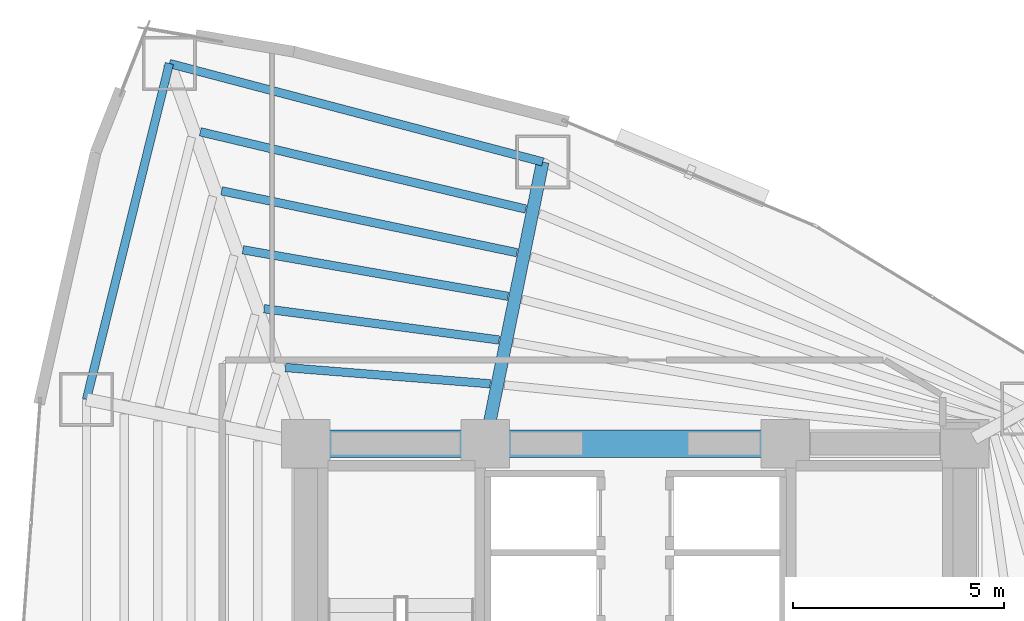
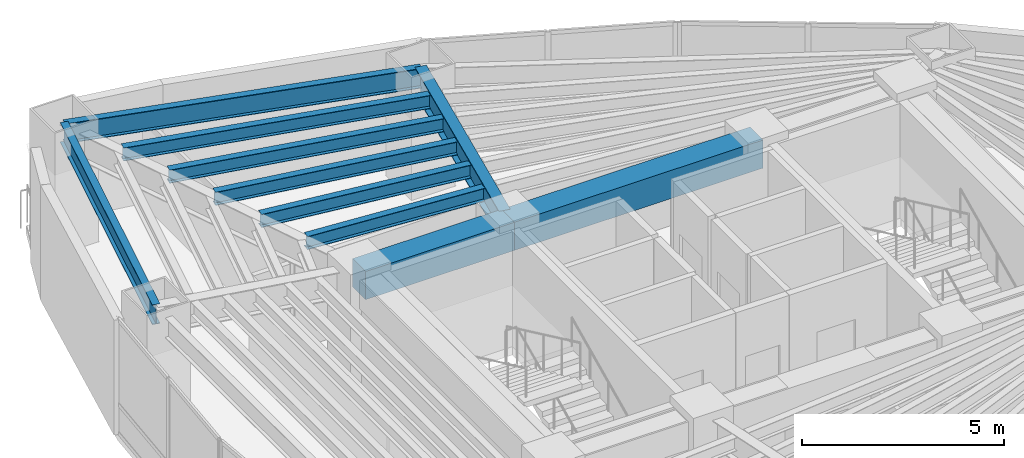
# One storey, part 8 of 18: 10 beams.
"""IFC4 building model written with IfcOpenShell, lengths in metres."""

from ifc_helpers import new_model, si_unit, direction, frame, origin, origin_2d, place, context, subcontext, project, spatial, rectangle, i_section, extrude, material, material_profile, profile_set, type_object, element, save


model = new_model("IFC4")

# Units and contexts
model_context = context("Model", 3, precision=1e-05, world=origin(), true_north=direction((0.0, 1.0)))
body_context = subcontext(model_context, "Body", "Model", "MODEL_VIEW")
ifc_project = project(units=[si_unit("LENGTHUNIT", "METRE"), si_unit("AREAUNIT", "SQUARE_METRE"), si_unit("VOLUMEUNIT", "CUBIC_METRE"), si_unit("PLANEANGLEUNIT", "RADIAN"), si_unit("MASSUNIT", "GRAM", prefix="KILO")], contexts=[model_context])

# Site, building, storey
site_placement = place(None, origin())
site = spatial("IfcSite", under=ifc_project, at=site_placement, CompositionType="ELEMENT")
building_placement = place(site_placement, origin())
building = spatial("IfcBuilding", under=site, at=building_placement, Name="Menara Vayukalpa", CompositionType="ELEMENT")
storey_placement = place(building_placement, frame((0.0, 0.0, 96.5400390625)))
storey = spatial("IfcBuildingStorey", under=building, at=storey_placement, Name="L23", CompositionType="ELEMENT", Elevation=96.5400390625)

# Beams
ifc_material_1 = material(Name="Concrete C60/75", Category="concrete")
ifc_material_profile_1 = material_profile(ifc_material_1, rectangle(XDim=0.64990234375, YDim=0.85009765625, at=origin_2d()), Name="RC 650x850")
ifc_profile_set_1 = profile_set([ifc_material_profile_1], Name="Concrete C60/75")
beam_type_1 = type_object("IfcBeamType", Name="BM-CB1", PredefinedType="BEAM", material=ifc_profile_set_1)
beam_1_placement = place(storey_placement, frame((17.800048828125, 26.800048828125, 3.044921875), z_axis=(1.0, 0.0, 0.0), x_axis=(0.0, 1.0, 0.0)))
element("IfcBeam", 1, at=beam_1_placement, inside=storey, type_object=beam_type_1, Name="L23 Core Tie Beam CBR4", PredefinedType="BEAM", context=body_context, shape_type="SweptSolid", body=[
    extrude(rectangle(XDim=0.64990234375, YDim=0.85009765625, at=origin_2d()), origin(), (0.0, 0.0, 1.0), 4.25),
])
beam_2_placement = place(storey_placement, frame((22.050048828125, 26.800048828125, 3.044921875), z_axis=(1.0, 0.0, 0.0), x_axis=(0.0, 1.0, 0.0)))
element("IfcBeam", 2, at=beam_2_placement, inside=storey, type_object=beam_type_1, Name="L23 Core Tie Beam CBR5", PredefinedType="BEAM", context=body_context, shape_type="SweptSolid", body=[
    extrude(rectangle(XDim=0.64990234375, YDim=0.85009765625, at=origin_2d()), origin(), (0.0, 0.0, 1.0), 7.099853515625),
])
ifc_material_2 = material(Name="Steel S355", Category="steel")
ifc_material_profile_2 = material_profile(ifc_material_2, i_section(OverallWidth=0.300048828125, OverallDepth=0.800048828125, WebThickness=0.013916015625, FlangeThickness=0.02587890625, at=origin_2d()), Name="WF 800x300x14x26")
ifc_profile_set_2 = profile_set([ifc_material_profile_2], Name="Steel S355")
beam_type_2 = type_object("IfcBeamType", Name="BM-PG3", PredefinedType="BEAM", material=ifc_profile_set_2)
beam_3_placement = place(storey_placement, frame((22.099853515625, 27.044921875, 3.070068359375), z_axis=(0.199617728418, 0.9798738503, 0.0), x_axis=(-0.9798738503, 0.199617728418, 0.0)))
element("IfcBeam", 3, at=beam_3_placement, inside=storey, type_object=beam_type_2, Name="L23 Primary Radial Girder RG03", PredefinedType="BEAM", context=body_context, shape_type="SweptSolid", body=[
    extrude(i_section(OverallWidth=0.300048828125, OverallDepth=0.800048828125, WebThickness=0.013916015625, FlangeThickness=0.02587890625, at=origin_2d()), origin(), (0.0, 0.0, 1.0), 6.55419921875),
])
ifc_material_3 = material(Name="Steel S355", Category="steel")
ifc_material_profile_3 = material_profile(ifc_material_3, i_section(OverallWidth=0.199951171875, OverallDepth=0.39990234375, WebThickness=0.008056640625, FlangeThickness=0.012939453125, at=origin_2d()), Name="WF 400x200x8x13")
ifc_profile_set_3 = profile_set([ifc_material_profile_3], Name="Steel S355")
beam_type_3 = type_object("IfcBeamType", Name="BM-SJ2", PredefinedType="JOIST", material=ifc_profile_set_3)
beam_4_placement = place(storey_placement, frame((22.166015625, 28.214599609375, 3.27001953125), z_axis=(-0.996868534468, 0.079076703187, 0.0), x_axis=(-0.079076703187, -0.996868534468, 0.0)))
element("IfcBeam", 4, at=beam_4_placement, inside=storey, type_object=beam_type_3, Name="L23 Secondary Floor Joist SJ03-1", PredefinedType="JOIST", context=body_context, shape_type="SweptSolid", body=[
    extrude(i_section(OverallWidth=0.199951171875, OverallDepth=0.39990234375, WebThickness=0.008056640625, FlangeThickness=0.012939453125, at=origin_2d()), origin(), (0.0, 0.0, 1.0), 4.862548828125),
])
beam_5_placement = place(storey_placement, frame((22.376220703125, 29.251220703125, 3.27001953125), z_axis=(-0.991248408809, 0.132009817941, 0.0), x_axis=(-0.132009817941, -0.991248408809, 0.0)))
element("IfcBeam", 5, at=beam_5_placement, inside=storey, type_object=beam_type_3, Name="L23 Secondary Floor Joist SJ03-2", PredefinedType="JOIST", context=body_context, shape_type="SweptSolid", body=[
    extrude(i_section(OverallWidth=0.199951171875, OverallDepth=0.39990234375, WebThickness=0.008056640625, FlangeThickness=0.012939453125, at=origin_2d()), origin(), (0.0, 0.0, 1.0), 5.611083984375),
])
beam_6_placement = place(storey_placement, frame((22.586669921875, 30.28564453125, 3.27001953125), z_axis=(-0.984953935883, 0.172817083033, 0.0), x_axis=(-0.172817083033, -0.984953935883, 0.0)))
element("IfcBeam", 6, at=beam_6_placement, inside=storey, type_object=beam_type_3, Name="L23 Secondary Floor Joist SJ03-3", PredefinedType="JOIST", context=body_context, shape_type="SweptSolid", body=[
    extrude(i_section(OverallWidth=0.199951171875, OverallDepth=0.39990234375, WebThickness=0.008056640625, FlangeThickness=0.012939453125, at=origin_2d()), origin(), (0.0, 0.0, 1.0), 6.372802734375),
])
beam_7_placement = place(storey_placement, frame((22.797119140625, 31.318603515625, 3.27001953125), z_axis=(-0.978749487369, 0.205059603471, 0.0), x_axis=(-0.205059603471, -0.978749487369, 0.0)))
element("IfcBeam", 7, at=beam_7_placement, inside=storey, type_object=beam_type_3, Name="L23 Secondary Floor Joist SJ03-4", PredefinedType="JOIST", context=body_context, shape_type="SweptSolid", body=[
    extrude(i_section(OverallWidth=0.199951171875, OverallDepth=0.39990234375, WebThickness=0.008056640625, FlangeThickness=0.012939453125, at=origin_2d()), origin(), (0.0, 0.0, 1.0), 7.1435546875),
])
beam_8_placement = place(storey_placement, frame((23.00732421875, 32.3505859375, 3.27001953125), z_axis=(-0.97293603101, 0.231074619036, 0.0), x_axis=(-0.231074619036, -0.97293603101, 0.0)))
element("IfcBeam", 8, at=beam_8_placement, inside=storey, type_object=beam_type_3, Name="L23 Secondary Floor Joist SJ03-5", PredefinedType="JOIST", context=body_context, shape_type="SweptSolid", body=[
    extrude(i_section(OverallWidth=0.199951171875, OverallDepth=0.39990234375, WebThickness=0.008056640625, FlangeThickness=0.012939453125, at=origin_2d()), origin(), (0.0, 0.0, 1.0), 7.9208984375),
])
ifc_material_4 = material(Name="Steel S355", Category="steel")
ifc_material_profile_4 = material_profile(ifc_material_4, i_section(OverallWidth=0.199951171875, OverallDepth=0.60009765625, WebThickness=0.010986328125, FlangeThickness=0.01708984375, at=origin_2d()), Name="WF 600x200x11x17")
ifc_profile_set_4 = profile_set([ifc_material_profile_4], Name="Steel S355")
beam_type_4 = type_object("IfcBeamType", Name="BM-SP1", PredefinedType="SPANDREL", material=ifc_profile_set_4)
beam_9_placement = place(storey_placement, frame((23.408203125, 33.46728515625, 3.169921875), z_axis=(-0.966966857313, 0.254902131921, 0.0), x_axis=(-0.254902131921, -0.966966857313, 0.0)))
element("IfcBeam", 9, at=beam_9_placement, inside=storey, type_object=beam_type_4, Name="L23 Perimeter Spandrel Beam SP03", PredefinedType="SPANDREL", context=body_context, shape_type="SweptSolid", body=[
    extrude(i_section(OverallWidth=0.199951171875, OverallDepth=0.60009765625, WebThickness=0.010986328125, FlangeThickness=0.01708984375, at=origin_2d()), origin(), (0.0, 0.0, 1.0), 9.14111328125),
])
beam_10_placement = place(storey_placement, frame((14.569091796875, 35.79736328125, 3.169921875), z_axis=(-0.239602739234, -0.970871014786, 0.0), x_axis=(0.970871014786, -0.239602739234, 0.0)))
element("IfcBeam", 10, at=beam_10_placement, inside=storey, type_object=beam_type_4, Name="L23 Perimeter Spandrel Beam SP04", PredefinedType="SPANDREL", context=body_context, shape_type="SweptSolid", body=[
    extrude(i_section(OverallWidth=0.199951171875, OverallDepth=0.60009765625, WebThickness=0.010986328125, FlangeThickness=0.01708984375, at=origin_2d()), origin(), (0.0, 0.0, 1.0), 8.190185546875),
])

save(model, "model.ifc")
